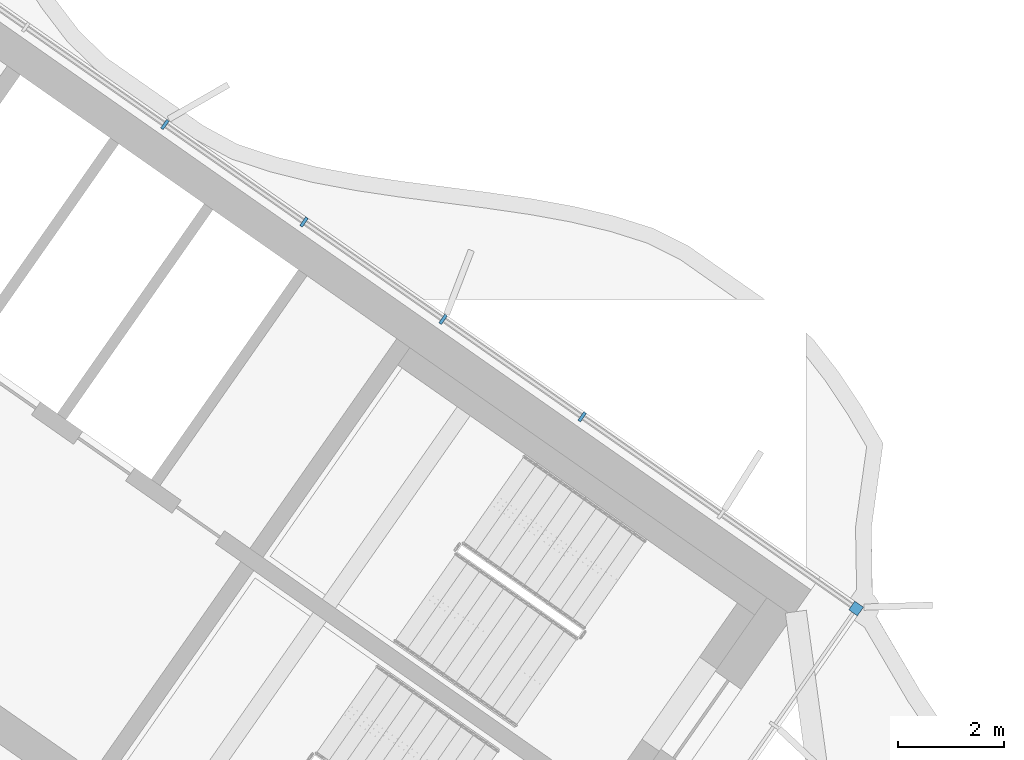
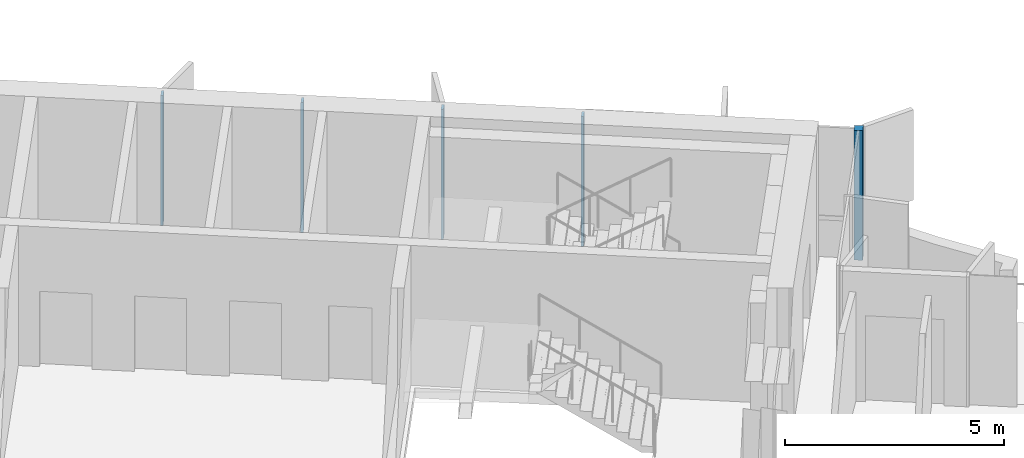
# One storey, part 6 of 20: 5 members, 1 element without a shape of its own.
"""IFC4 building model written with IfcOpenShell, lengths in metres."""

import ifcopenshell
import ifcopenshell.guid

model = None  # the IFC model being written
_history = None  # IfcOwnerHistory: only IFC2X3 demands one
_inside = {}  # id of a spatial element -> (the spatial element, [elements in it])
_under = {}  # id of a project, library or spatial element -> (it, [spatial elements below it])
_declared = {}  # id of a project -> (the project, [libraries it declares])
_typed = {}  # id of a type object -> (the type object, [elements of that type])
_made_of = {}  # id of a material, layer set ... -> (it, [elements and type objects made of it])


def new_model(schema):
    """Start an empty IFC model of exactly this schema.

    Asked for "IFC4X3", IfcOpenShell would pick the latest addendum, in which some entities
    have other attributes; the version numbers below select the first issue.
    IFC2X3 requires an IfcOwnerHistory on every rooted entity: one is made here for all.
    """
    global model, _history
    if schema == "IFC4X3":
        model = ifcopenshell.file(schema_version=(4, 3, 0, 0))
    else:
        model = ifcopenshell.file(schema=schema)
    _inside.clear()
    _under.clear()
    _declared.clear()
    _typed.clear()
    _made_of.clear()
    _history = None
    if model.schema == "IFC2X3":
        org = make("IfcOrganization", Name="unknown")
        user = make(
            "IfcPersonAndOrganization",
            ThePerson=make("IfcPerson", FamilyName="unknown"),
            TheOrganization=org,
        )
        app = make(
            "IfcApplication",
            ApplicationDeveloper=org,
            Version="unknown",
            ApplicationFullName="unknown",
            ApplicationIdentifier="unknown",
        )
        _history = make(
            "IfcOwnerHistory",
            OwningUser=user,
            OwningApplication=app,
            ChangeAction="ADDED",
            CreationDate=0,
        )
    return model


def make(cls, **values):
    """One entity of the class cls with the attributes given. An attribute that is None is left unset."""
    return model.create_entity(
        cls, **{name: value for name, value in values.items() if value is not None}
    )


def rooted(cls, **values):
    """An entity with a GlobalId (a new one), such as an element, a storey or a relation."""
    return make(cls, GlobalId=ifcopenshell.guid.new(), OwnerHistory=_history, **values)


def si_unit(unit_type, name, prefix=None):
    """IfcSIUnit, for example si_unit("LENGTHUNIT", "METRE", prefix="MILLI")."""
    return make("IfcSIUnit", UnitType=unit_type, Prefix=prefix, Name=name)


def assignment(units):
    """IfcUnitAssignment: the units of a project."""
    return None if units is None else make("IfcUnitAssignment", Units=units)


def point(xyz):
    """IfcCartesianPoint."""
    return None if xyz is None else make("IfcCartesianPoint", Coordinates=xyz)


def direction(xyz):
    """IfcDirection."""
    return None if xyz is None else make("IfcDirection", DirectionRatios=xyz)


def frame(location, z_axis=None, x_axis=None):
    """IfcAxis2Placement3D, a coordinate frame: its origin and axes. An axis left out is left unset."""
    return make(
        "IfcAxis2Placement3D",
        Location=point(location),
        Axis=direction(z_axis),
        RefDirection=direction(x_axis),
    )


def frame_2d(location, x_axis=None):
    """IfcAxis2Placement2D, a coordinate frame in the plane: its origin and x axis."""
    return make(
        "IfcAxis2Placement2D", Location=point(location), RefDirection=direction(x_axis)
    )


def origin():
    """The frame at (0, 0, 0) with its axes left unset."""
    return frame((0.0, 0.0, 0.0))


def origin_2d():
    """The frame at (0, 0) in the plane with its x axis left unset."""
    return frame_2d((0.0, 0.0))


def place(relative_to, where):
    """IfcLocalPlacement: puts the frame where relative to a parent placement (None: the world)."""
    return make(
        "IfcLocalPlacement", PlacementRelTo=relative_to, RelativePlacement=where
    )


def context(
    kind, dimensions, precision=None, world=None, true_north=None, identifier=None
):
    """IfcGeometricRepresentationContext, for example the 3D "Model" context."""
    return make(
        "IfcGeometricRepresentationContext",
        ContextIdentifier=identifier,
        ContextType=kind,
        CoordinateSpaceDimension=dimensions,
        Precision=precision,
        WorldCoordinateSystem=world,
        TrueNorth=true_north,
    )


def subcontext(parent, identifier, kind, view, scale=None):
    """IfcGeometricRepresentationSubContext, for example "Body" below "Model"."""
    return make(
        "IfcGeometricRepresentationSubContext",
        ContextIdentifier=identifier,
        ContextType=kind,
        ParentContext=parent,
        TargetScale=scale,
        TargetView=view,
    )


def project(units=None, contexts=None):
    """IfcProject with its units and contexts."""
    return rooted(
        "IfcProject",
        Name="project",
        RepresentationContexts=contexts,
        UnitsInContext=assignment(units),
    )


def spatial(cls, under=None, at=None, **own):
    """A site, building, storey or space (cls), placed at a placement, below another one or the project."""
    s = rooted(cls, ObjectPlacement=at, **own)
    if under is not None:
        _under.setdefault(under.id(), (under, []))[1].append(s)
    return s


def profile(cls, at=None, kind="AREA", **sizes):
    """A parametric profile (cls). Its sizes go by their IFC names, for example OverallWidth=200.0."""
    return make(cls, ProfileType=kind, Position=at, **sizes)


def rectangle(**sizes):
    """IfcRectangleProfileDef."""
    return profile("IfcRectangleProfileDef", **sizes)


def extrude(swept, where, along, depth):
    """IfcExtrudedAreaSolid: the profile swept, set in the frame where, extruded along a direction by depth."""
    return make(
        "IfcExtrudedAreaSolid",
        SweptArea=swept,
        Position=where,
        ExtrudedDirection=direction(along),
        Depth=depth,
    )


def shape(context_of_items, identifier, shape_type, items):
    """IfcShapeRepresentation: the items that make up one representation, for example the "Body"."""
    return make(
        "IfcShapeRepresentation",
        ContextOfItems=context_of_items,
        RepresentationIdentifier=identifier,
        RepresentationType=shape_type,
        Items=items,
    )


def material(Name=None, Category=None):
    """IfcMaterial."""
    return make("IfcMaterial", Name=Name, Category=Category)


def material_profile(
    of_material, cross_section, Name=None, Category=None, Priority=None
):
    """IfcMaterialProfile: a cross section and its material."""
    return make(
        "IfcMaterialProfile",
        Name=Name,
        Material=of_material,
        Profile=cross_section,
        Priority=Priority,
        Category=Category,
    )


def profile_set(profiles, Name=None, composite=None):
    """IfcMaterialProfileSet."""
    return make(
        "IfcMaterialProfileSet",
        Name=Name,
        MaterialProfiles=profiles,
        CompositeProfile=composite,
    )


def made_of(thing, what):
    """Note that an element or type object is made of a material, layer set ...; save() writes the relation."""
    if what is not None:
        _made_of.setdefault(what.id(), (what, []))[1].append(thing)
    return thing


def type_object(cls, material=None, **own):
    """A type object (cls), such as IfcWallType, which elements share."""
    return made_of(rooted(cls, **own), material)


def element(
    cls,
    number,
    at=None,
    inside=None,
    cuts=None,
    type_object=None,
    material=None,
    context=None,
    identifier="Body",
    shape_type=None,
    held_by="IfcProductDefinitionShape",
    body=None,
    shapes=None,
    **own,
):
    """One element of the class cls, such as IfcWall. Its Tag is "e" and its number.

    at: its placement. inside: the storey or other place that contains it. cuts: it is an
    opening in that element (IfcRelVoidsElement). A single representation is given by context,
    identifier, shape_type and body (its items); several are given by shapes. held_by: the class
    of the entity that holds the representations. save() writes the other relations.
    """
    e = rooted(cls, Tag="e%d" % number, ObjectPlacement=at, **own)
    if body is not None:
        shapes = [shape(context, identifier, shape_type, body)]
    if shapes is not None:
        e.Representation = make(held_by, Representations=shapes)
    if inside is not None:
        _inside.setdefault(inside.id(), (inside, []))[1].append(e)
    if cuts is not None:
        rooted(
            "IfcRelVoidsElement", RelatingBuildingElement=cuts, RelatedOpeningElement=e
        )
    if type_object is not None:
        _typed.setdefault(type_object.id(), (type_object, []))[1].append(e)
    return made_of(e, material)


def aggregate(whole, parts):
    """IfcRelAggregates: a whole, such as a stair, and the parts it consists of."""
    return rooted("IfcRelAggregates", RelatingObject=whole, RelatedObjects=parts)


def save(model, path):
    """Write the relations noted so far, then the file.

    IfcRelAggregates (storeys below a building ...), IfcRelContainedInSpatialStructure (elements
    in a storey), IfcRelDefinesByType, IfcRelAssociatesMaterial and IfcRelDeclares: one each for
    every whole, place, type object, material and project.
    """
    for whole, parts in _under.values():
        aggregate(whole, parts)
    for where, things in _inside.values():
        rooted(
            "IfcRelContainedInSpatialStructure",
            RelatedElements=things,
            RelatingStructure=where,
        )
    for kind, things in _typed.values():
        rooted("IfcRelDefinesByType", RelatedObjects=things, RelatingType=kind)
    for what, things in _made_of.values():
        rooted("IfcRelAssociatesMaterial", RelatedObjects=things, RelatingMaterial=what)
    for by, libraries in _declared.values():
        rooted("IfcRelDeclares", RelatingContext=by, RelatedDefinitions=libraries)
    model.write(path)


model = new_model("IFC4")

# Units and contexts
model_context = context("Model", 3, precision=1e-05, world=origin(), true_north=direction((0.0, 1.0)))
body_context = subcontext(model_context, "Body", "Model", "MODEL_VIEW")
ifc_project = project(units=[si_unit("LENGTHUNIT", "METRE"), si_unit("AREAUNIT", "SQUARE_METRE"), si_unit("VOLUMEUNIT", "CUBIC_METRE"), si_unit("PLANEANGLEUNIT", "RADIAN"), si_unit("MASSUNIT", "GRAM", prefix="KILO")], contexts=[model_context])

# Site, building, storey
site_placement = place(None, origin())
site = spatial("IfcSite", under=ifc_project, at=site_placement, CompositionType="ELEMENT")
building_placement = place(site_placement, origin())
building = spatial("IfcBuilding", under=site, at=building_placement, Name="Tel Ilan Convention Tower", CompositionType="ELEMENT")
storey_placement = place(building_placement, frame((0.0, 0.0, 248.800048828125)))
storey = spatial("IfcBuildingStorey", under=building, at=storey_placement, Name="L58", CompositionType="ELEMENT", Elevation=248.800048828125)

# Curtain wall, members
ifc_material_1 = material(Name="Aluminium, bronze anodised", Category="aluminium")
curtain_wall_type = type_object("IfcCurtainWallType", Name="CW2 STICK CURTAIN WALL, SPANDREL PANELS", PredefinedType="NOTDEFINED", material=ifc_material_1)
curtain_wall_placement = place(storey_placement, origin())
curtain_wall = element("IfcCurtainWall", 1, at=curtain_wall_placement, inside=storey, type_object=curtain_wall_type, Name="Curtain wall CW2-45.02", PredefinedType="NOTDEFINED")
ifc_material_2 = material(Name="Aluminium, bronze anodised", Category="aluminium")
ifc_material_profile_1 = material_profile(ifc_material_2, rectangle(XDim=0.199951171875, YDim=0.199951171875, at=origin_2d()), Name="CW CORNER MULLION 200x200")
ifc_profile_set_1 = profile_set([ifc_material_profile_1], Name="Aluminium, bronze anodised")
member_type_1 = type_object("IfcMemberType", Name="CW CORNER MULLION 200x200", PredefinedType="MULLION", material=ifc_profile_set_1)
member_1_placement = place(storey_placement, frame((28.819580078125, -7.483642578125, 0.0), z_axis=(0.0, 0.0, 1.0), x_axis=(0.573576436351, 0.819152044289, 0.0)))
member_1 = element("IfcMember", 2, at=member_1_placement, type_object=member_type_1, Name="Corner mullion", PredefinedType="MULLION", context=body_context, shape_type="SweptSolid", body=[
    extrude(rectangle(XDim=0.199951171875, YDim=0.199951171875, at=origin_2d()), origin(), (0.0, 0.0, 1.0), 3.619873046875),
])
ifc_material_3 = material(Name="Aluminium, bronze anodised", Category="aluminium")
ifc_material_profile_2 = material_profile(ifc_material_3, rectangle(XDim=0.06005859375, YDim=0.199951171875, at=origin_2d()), Name="CW MULLION 60x200")
ifc_profile_set_2 = profile_set([ifc_material_profile_2], Name="Aluminium, bronze anodised")
member_type_2 = type_object("IfcMemberType", Name="CW MULLION 60x200", PredefinedType="MULLION", material=ifc_profile_set_2)
member_2_placement = place(storey_placement, frame((23.63623046875, -3.854248046875, 0.0), z_axis=(0.0, 0.0, 1.0), x_axis=(-0.819152044289, 0.573576436351, 0.0)))
member_2 = element("IfcMember", 3, at=member_2_placement, type_object=member_type_2, Name="Mullion", PredefinedType="MULLION", context=body_context, shape_type="SweptSolid", body=[
    extrude(rectangle(XDim=0.06005859375, YDim=0.199951171875, at=origin_2d()), origin(), (0.0, 0.0, 1.0), 3.619873046875),
])
member_3_placement = place(storey_placement, frame((21.003662109375, -2.0107421875, 0.0), z_axis=(0.0, 0.0, 1.0), x_axis=(-0.819152044289, 0.573576436351, 0.0)))
member_3 = element("IfcMember", 4, at=member_3_placement, type_object=member_type_2, Name="Mullion", PredefinedType="MULLION", context=body_context, shape_type="SweptSolid", body=[
    extrude(rectangle(XDim=0.06005859375, YDim=0.199951171875, at=origin_2d()), origin(), (0.0, 0.0, 1.0), 3.619873046875),
])
member_4_placement = place(storey_placement, frame((18.37109375, -0.16748046875, 0.0), z_axis=(0.0, 0.0, 1.0), x_axis=(-0.819152044289, 0.573576436351, 0.0)))
member_4 = element("IfcMember", 5, at=member_4_placement, type_object=member_type_2, Name="Mullion", PredefinedType="MULLION", context=body_context, shape_type="SweptSolid", body=[
    extrude(rectangle(XDim=0.06005859375, YDim=0.199951171875, at=origin_2d()), origin(), (0.0, 0.0, 1.0), 3.619873046875),
])
member_5_placement = place(storey_placement, frame((15.73828125, 1.676025390625, 0.0), z_axis=(0.0, 0.0, 1.0), x_axis=(-0.819152044289, 0.573576436351, 0.0)))
member_5 = element("IfcMember", 6, at=member_5_placement, type_object=member_type_2, Name="Mullion", PredefinedType="MULLION", context=body_context, shape_type="SweptSolid", body=[
    extrude(rectangle(XDim=0.06005859375, YDim=0.199951171875, at=origin_2d()), origin(), (0.0, 0.0, 1.0), 3.619873046875),
])
aggregate(curtain_wall, [member_1, member_2, member_3, member_4, member_5])

save(model, "model.ifc")
